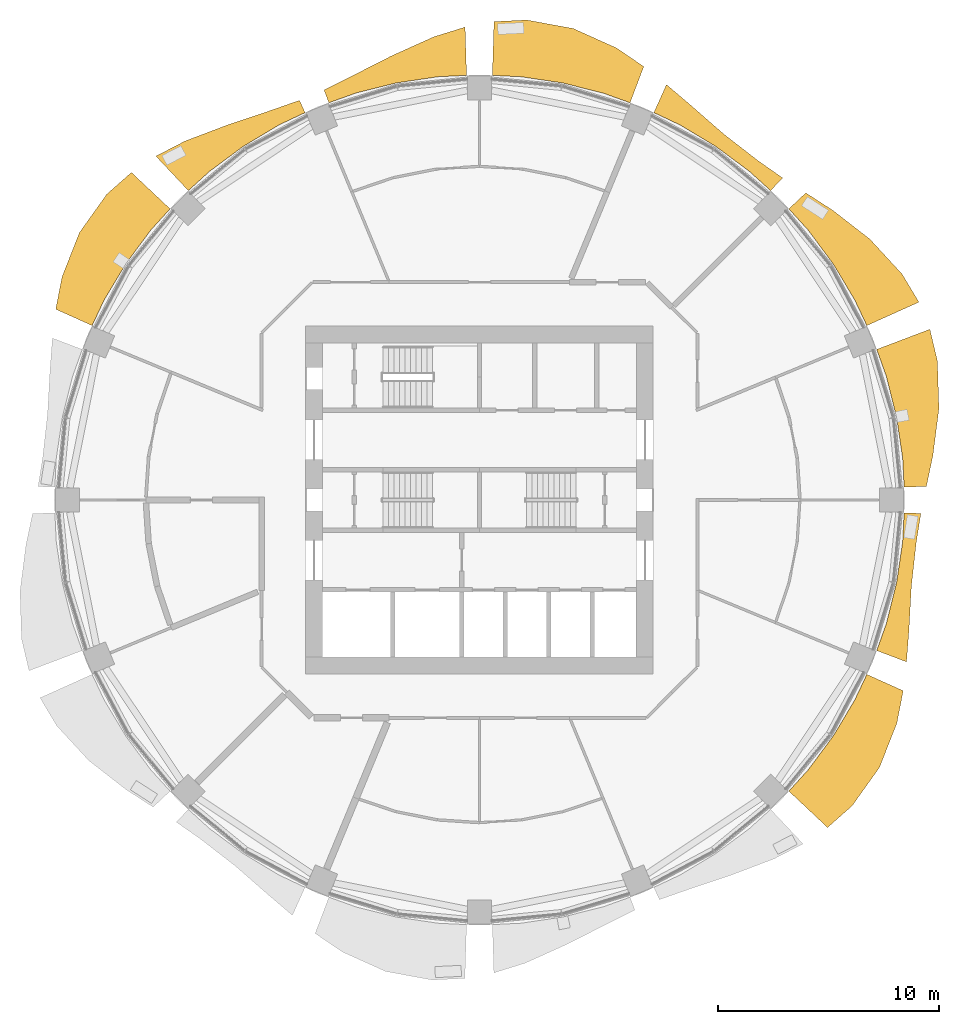
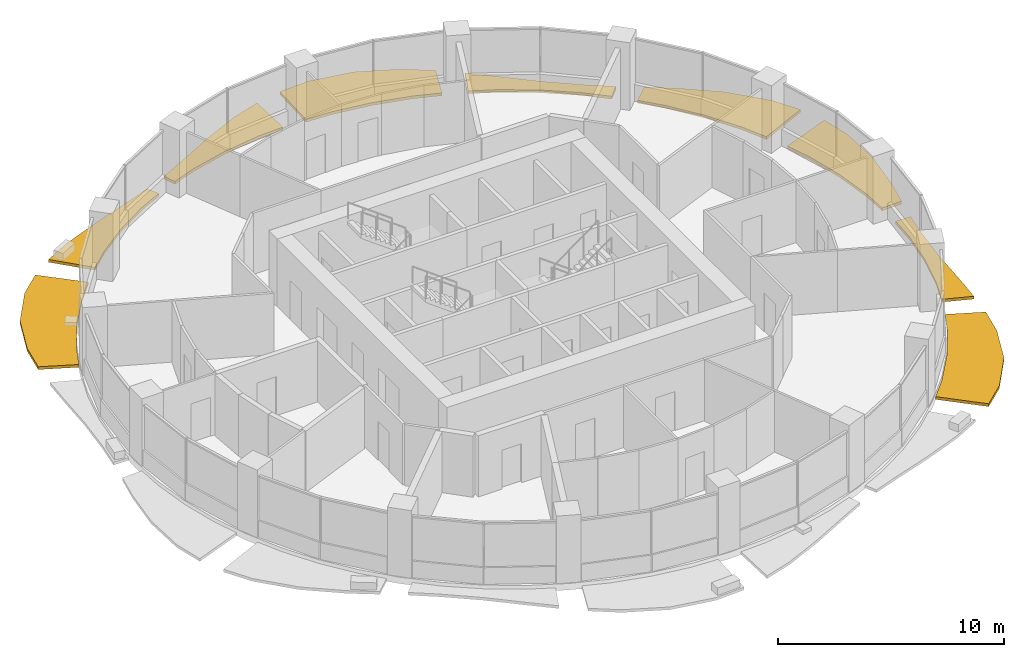
# One storey, part 13 of 14: 9 shading devices.
"""IFC4 building model written with IfcOpenShell, lengths in metres."""

from ifc_helpers import new_model, si_unit, direction, frame, origin, place, context, subcontext, project, spatial, polyline, outline, extrude, material, type_object, element, save


model = new_model("IFC4")

# Units and contexts
model_context = context("Model", 3, precision=1e-05, world=origin(), true_north=direction((0.0, 1.0)))
body_context = subcontext(model_context, "Body", "Model", "MODEL_VIEW")
ifc_project = project(units=[si_unit("LENGTHUNIT", "METRE"), si_unit("AREAUNIT", "SQUARE_METRE"), si_unit("VOLUMEUNIT", "CUBIC_METRE"), si_unit("PLANEANGLEUNIT", "RADIAN"), si_unit("MASSUNIT", "GRAM", prefix="KILO")], contexts=[model_context])

# Site, building, storey
site_placement = place(None, origin())
site = spatial("IfcSite", under=ifc_project, at=site_placement, CompositionType="ELEMENT")
building_placement = place(site_placement, origin())
building = spatial("IfcBuilding", under=site, at=building_placement, Name="Polderwave Tower", CompositionType="ELEMENT")
storey_placement = place(building_placement, frame((0.0, 0.0, 98.300048828125)))
storey = spatial("IfcBuildingStorey", under=building, at=storey_placement, Name="L25", CompositionType="ELEMENT", Elevation=98.300048828125)

# Shading devices
ifc_material = material(Name="Terracotta", Category="masonry")
shading_device_type = type_object("IfcShadingDeviceType", Name="Terracotta sunshade band", PredefinedType="USERDEFINED", material=ifc_material)
shading_device_1_placement = place(storey_placement, frame((0.0, 0.0, -0.35009765625)))
element("IfcShadingDevice", 1, at=shading_device_1_placement, inside=storey, type_object=shading_device_type, Name="Sunshade band L25 1", ObjectType="SUNSHADE", PredefinedType="USERDEFINED", context=body_context, shape_type="SweptSolid", body=[
    extrude(outline(polyline([(19.2412109375, 0.583984375), (19.17724609375, 1.888916015625), (18.899658203125, 3.759521484375), (18.440185546875, 5.59375), (18.000244140625, 6.82373046875), (20.410888671875, 7.73779296875), (20.75244140625, 6.295166015625), (20.820068359375, 4.141357421875), (20.54931640625, 2.02392578125), (20.251708984375, 0.61474609375), (19.2412109375, 0.583984375)])), origin(), (0.0, 0.0, 1.0), 0.150146484375),
])
shading_device_2_placement = place(storey_placement, frame((0.0, 0.0, -0.35009765625)))
element("IfcShadingDevice", 2, at=shading_device_2_placement, inside=storey, type_object=shading_device_type, Name="Sunshade band L25 2", ObjectType="SUNSHADE", PredefinedType="USERDEFINED", context=body_context, shape_type="SweptSolid", body=[
    extrude(outline(polyline([(17.552978515625, 7.90283203125), (16.99462890625, 9.083740234375), (16.0224609375, 10.705810546875), (14.89599609375, 12.224853515625), (14.0185546875, 13.192626953125), (14.786865234375, 13.91552734375), (16.002197265625, 13.1328125), (17.69140625, 11.821044921875), (19.15185546875, 10.23681640625), (19.9130859375, 8.96533203125), (17.552978515625, 7.90283203125)])), origin(), (0.0, 0.0, 1.0), 0.150146484375),
])
shading_device_3_placement = place(storey_placement, frame((0.0, 0.0, -0.35009765625)))
element("IfcShadingDevice", 3, at=shading_device_3_placement, inside=storey, type_object=shading_device_type, Name="Sunshade band L25 3", ObjectType="SUNSHADE", PredefinedType="USERDEFINED", context=body_context, shape_type="SweptSolid", body=[
    extrude(outline(polyline([(13.192626953125, 14.0185546875), (12.224853515625, 14.89599609375), (10.705810546875, 16.0224609375), (9.083740234375, 16.99462890625), (7.90283203125, 17.552978515625), (8.474609375, 18.822998046875), (9.56591796875, 17.896240234375), (11.075927734375, 16.576416015625), (12.62109375, 15.37890625), (13.735595703125, 14.595458984375), (13.192626953125, 14.0185546875)])), origin(), (0.0, 0.0, 1.0), 0.150146484375),
])
shading_device_4_placement = place(storey_placement, frame((0.0, 0.0, -0.35009765625)))
element("IfcShadingDevice", 4, at=shading_device_4_placement, inside=storey, type_object=shading_device_type, Name="Sunshade band L25 4", ObjectType="SUNSHADE", PredefinedType="USERDEFINED", context=body_context, shape_type="SweptSolid", body=[
    extrude(outline(polyline([(6.82373046875, 18.000244140625), (5.59375, 18.440185546875), (3.759521484375, 18.899658203125), (1.888916015625, 19.17724609375), (0.583984375, 19.2412109375), (0.657958984375, 21.678466796875), (2.14208984375, 21.75048828125), (4.249755859375, 21.36474609375), (6.212890625, 20.4814453125), (7.44580078125, 19.640869140625), (6.82373046875, 18.000244140625)])), origin(), (0.0, 0.0, 1.0), 0.150146484375),
])
shading_device_5_placement = place(storey_placement, frame((0.0, 0.0, -0.35009765625)))
element("IfcShadingDevice", 5, at=shading_device_5_placement, inside=storey, type_object=shading_device_type, Name="Sunshade band L25 5", ObjectType="SUNSHADE", PredefinedType="USERDEFINED", context=body_context, shape_type="SweptSolid", body=[
    extrude(outline(polyline([(-0.583984375, 19.2412109375), (-1.888916015625, 19.17724609375), (-3.759521484375, 18.899658203125), (-5.59375, 18.440185546875), (-6.82373046875, 18.000244140625), (-7.044189453125, 18.58154296875), (-5.8212890625, 19.190185546875), (-4.001708984375, 20.117919921875), (-2.0673828125, 20.98974609375), (-0.650390625, 21.429443359375), (-0.583984375, 19.2412109375)])), origin(), (0.0, 0.0, 1.0), 0.150146484375),
])
shading_device_6_placement = place(storey_placement, frame((0.0, 0.0, -0.35009765625)))
element("IfcShadingDevice", 6, at=shading_device_6_placement, inside=storey, type_object=shading_device_type, Name="Sunshade band L25 6", ObjectType="SUNSHADE", PredefinedType="USERDEFINED", context=body_context, shape_type="SweptSolid", body=[
    extrude(outline(polyline([(-7.90283203125, 17.552978515625), (-9.083740234375, 16.99462890625), (-10.705810546875, 16.0224609375), (-12.224853515625, 14.89599609375), (-13.192626953125, 14.0185546875), (-14.662841796875, 15.580810546875), (-13.346923828125, 16.26318359375), (-11.368408203125, 17.01416015625), (-9.439208984375, 17.65966796875), (-8.154296875, 18.111083984375), (-7.90283203125, 17.552978515625)])), origin(), (0.0, 0.0, 1.0), 0.150146484375),
])
shading_device_7_placement = place(storey_placement, frame((0.0, 0.0, -0.35009765625)))
element("IfcShadingDevice", 7, at=shading_device_7_placement, inside=storey, type_object=shading_device_type, Name="Sunshade band L25 7", ObjectType="SUNSHADE", PredefinedType="USERDEFINED", context=body_context, shape_type="SweptSolid", body=[
    extrude(outline(polyline([(-14.0185546875, 13.192626953125), (-14.89599609375, 12.224853515625), (-16.0224609375, 10.705810546875), (-16.99462890625, 9.083740234375), (-17.552978515625, 7.90283203125), (-19.201171875, 8.64501953125), (-18.9150390625, 10.1103515625), (-18.129150390625, 12.113525390625), (-16.88671875, 13.8583984375), (-15.772216796875, 14.843017578125), (-14.0185546875, 13.192626953125)])), origin(), (0.0, 0.0, 1.0), 0.150146484375),
])
shading_device_8_placement = place(storey_placement, frame((0.0, 0.0, -0.35009765625)))
element("IfcShadingDevice", 8, at=shading_device_8_placement, inside=storey, type_object=shading_device_type, Name="Sunshade band L25 15", ObjectType="SUNSHADE", PredefinedType="USERDEFINED", context=body_context, shape_type="SweptSolid", body=[
    extrude(outline(polyline([(14.0185546875, -13.192626953125), (14.89599609375, -12.224853515625), (16.0224609375, -10.705810546875), (16.99462890625, -9.083740234375), (17.552978515625, -7.90283203125), (19.201171875, -8.64501953125), (18.9150390625, -10.1103515625), (18.129150390625, -12.113525390625), (16.88671875, -13.8583984375), (15.772216796875, -14.843017578125), (14.0185546875, -13.192626953125)])), origin(), (0.0, 0.0, 1.0), 0.150146484375),
])
shading_device_9_placement = place(storey_placement, frame((0.0, 0.0, -0.35009765625)))
element("IfcShadingDevice", 9, at=shading_device_9_placement, inside=storey, type_object=shading_device_type, Name="Sunshade band L25 16", ObjectType="SUNSHADE", PredefinedType="USERDEFINED", context=body_context, shape_type="SweptSolid", body=[
    extrude(outline(polyline([(18.000244140625, -6.82373046875), (18.440185546875, -5.59375), (18.899658203125, -3.759521484375), (19.17724609375, -1.888916015625), (19.2412109375, -0.583984375), (20.002685546875, -0.607177734375), (19.78857421875, -1.948974609375), (19.5732421875, -3.893310546875), (19.461181640625, -5.903564453125), (19.3515625, -7.336181640625), (18.000244140625, -6.82373046875)])), origin(), (0.0, 0.0, 1.0), 0.150146484375),
])

save(model, "model.ifc")
